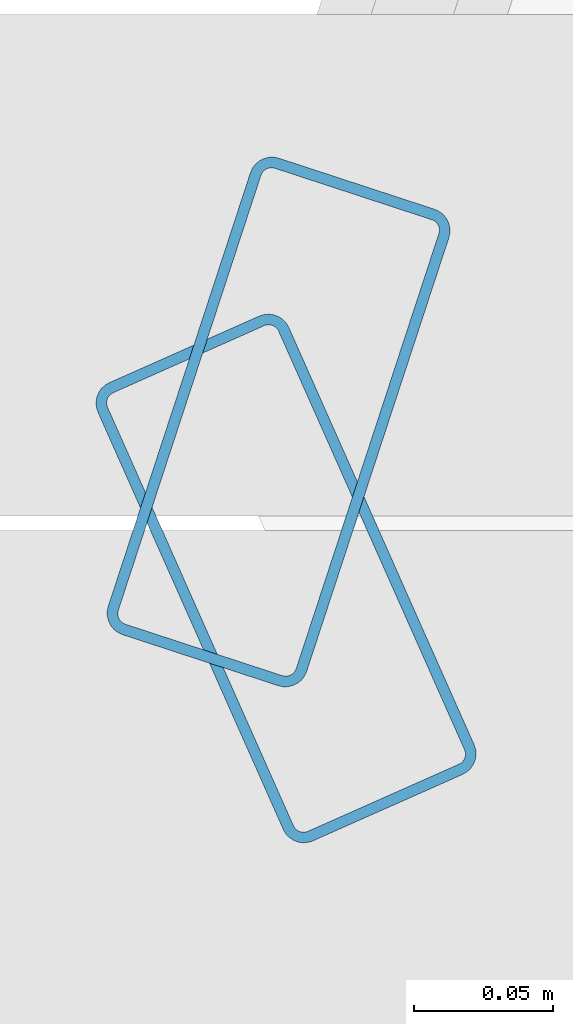
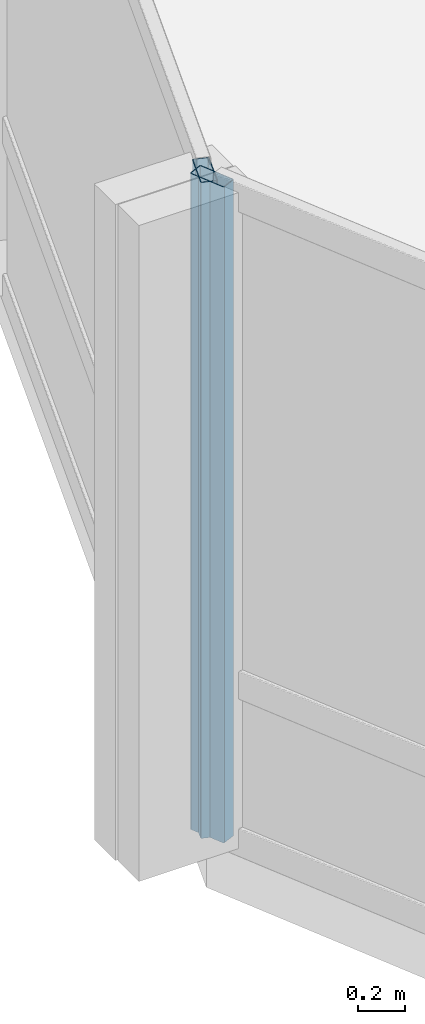
# One storey, part 6 of 34: 2 members, 2 elements without a shape of their own.
"""IFC4 building model written with IfcOpenShell, lengths in metres."""

from ifc_helpers import new_model, si_unit, direction, frame, origin, origin_2d, place, context, subcontext, project, spatial, hollow_rectangle, extrude, material, layer, layer_set, material_profile, profile_set, type_object, element, aggregate, save


model = new_model("IFC4")

# Units and contexts
model_context = context("Model", 3, precision=1e-05, world=origin(), true_north=direction((0.0, 1.0)))
body_context = subcontext(model_context, "Body", "Model", "MODEL_VIEW")
ifc_project = project(units=[si_unit("LENGTHUNIT", "METRE"), si_unit("AREAUNIT", "SQUARE_METRE"), si_unit("VOLUMEUNIT", "CUBIC_METRE"), si_unit("PLANEANGLEUNIT", "RADIAN"), si_unit("MASSUNIT", "GRAM", prefix="KILO")], contexts=[model_context])

# Site, building, storey
site_placement = place(None, origin())
site = spatial("IfcSite", under=ifc_project, at=site_placement, CompositionType="ELEMENT")
building_placement = place(site_placement, origin())
building = spatial("IfcBuilding", under=site, at=building_placement, Name="Solvaryn Broadcast Tower", CompositionType="ELEMENT")
storey_placement = place(building_placement, frame((0.0, 0.0, 65.60009765625)))
storey = spatial("IfcBuildingStorey", under=building, at=storey_placement, Name="L15", CompositionType="ELEMENT", Elevation=65.60009765625)

# Curtain wall, member
ifc_material_1 = material(Name="Aluminium and Terracotta Unitised Curtain Wall", Category="masonry")
ifc_layer = layer(ifc_material_1, 0.199951171875)
ifc_layer_set = layer_set([ifc_layer], Name="CW-SYS2-LOWMID")
curtain_wall_type = type_object("IfcCurtainWallType", Name="CW-SYS2-LOWMID", PredefinedType="NOTDEFINED", material=ifc_layer_set)
curtain_wall_1_placement = place(storey_placement, origin())
curtain_wall_1 = element("IfcCurtainWall", 1, at=curtain_wall_1_placement, inside=storey, type_object=curtain_wall_type, Name="L15 Curtain Wall DR1", PredefinedType="NOTDEFINED")
ifc_material_2 = material(Name="Anodised Aluminium 6063-T6", Category="aluminium")
ifc_material_profile = material_profile(ifc_material_2, hollow_rectangle(XDim=0.074951171875, YDim=0.179931640625, WallThickness=0.00390625, InnerFilletRadius=0.00390625, OuterFilletRadius=0.008056640625, at=origin_2d()))
ifc_profile_set = profile_set([ifc_material_profile], Name="Anodised Aluminium 6063-T6")
member_type = type_object("IfcMemberType", Name="CW-MUL-180", PredefinedType="MULLION", material=ifc_profile_set)
member_1_placement = place(storey_placement, frame((-0.45458984375, 26.588623046875, 0.0), z_axis=(0.0, 0.0, 1.0), x_axis=(0.950215318429, -0.311594044587, 0.0)))
member_1 = element("IfcMember", 2, at=member_1_placement, type_object=member_type, Name="CWS2 mullion 2", PredefinedType="MULLION", context=body_context, shape_type="SweptSolid", body=[
    extrude(hollow_rectangle(XDim=0.074951171875, YDim=0.179931640625, WallThickness=0.00390625, InnerFilletRadius=0.00390625, OuterFilletRadius=0.008056640625, at=origin_2d()), origin(), (0.0, 0.0, 1.0), 3.419921875),
])
aggregate(curtain_wall_1, [member_1])

curtain_wall_2_placement = place(storey_placement, origin())
curtain_wall_2 = element("IfcCurtainWall", 3, at=curtain_wall_2_placement, inside=storey, type_object=curtain_wall_type, Name="L15 Curtain Wall DR2", PredefinedType="NOTDEFINED")
member_2_placement = place(storey_placement, frame((-0.451904296875, 26.532470703125, 0.0), z_axis=(0.0, 0.0, 1.0), x_axis=(0.913918257271, 0.405898286554, 0.0)))
member_2 = element("IfcMember", 4, at=member_2_placement, type_object=member_type, Name="CWS2 mullion 1", PredefinedType="MULLION", context=body_context, shape_type="SweptSolid", body=[
    extrude(hollow_rectangle(XDim=0.074951171875, YDim=0.179931640625, WallThickness=0.00390625, InnerFilletRadius=0.00390625, OuterFilletRadius=0.008056640625, at=origin_2d()), origin(), (0.0, 0.0, 1.0), 3.419921875),
])
aggregate(curtain_wall_2, [member_2])

save(model, "model.ifc")
